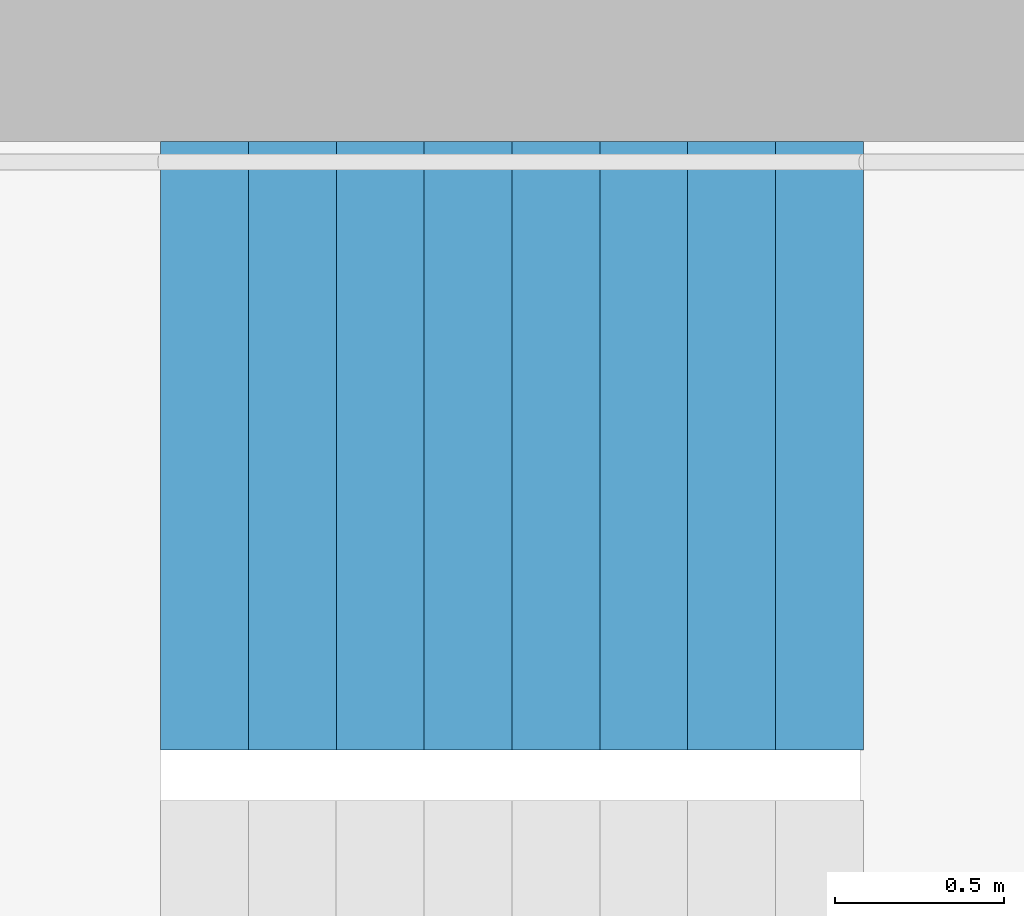
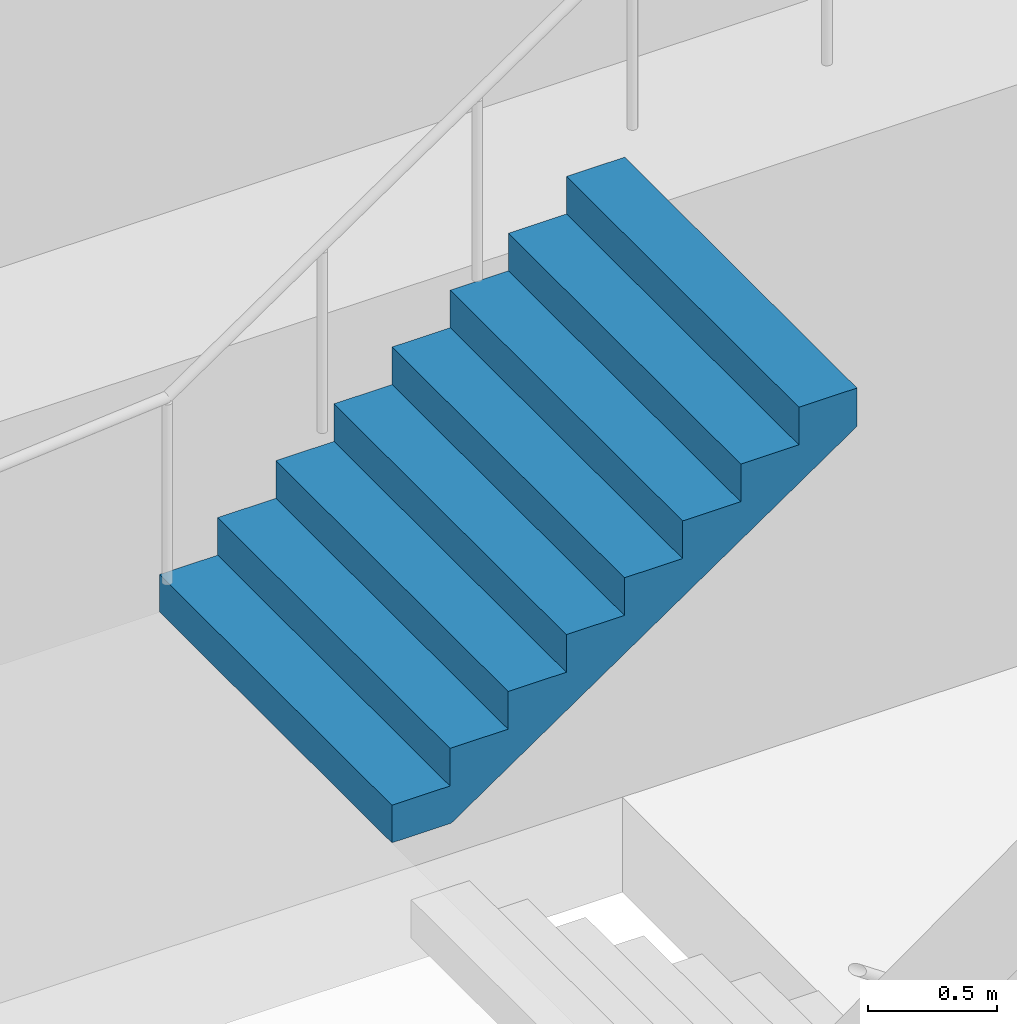
# One storey, part 26 of 27: 1 stair flight, 1 element without a shape of its own.
"""IFC4 building model written with IfcOpenShell, lengths in metres."""

from ifc_helpers import new_model, si_unit, direction, frame, origin, place, context, subcontext, project, spatial, triangles, material, type_object, element, aggregate, save


model = new_model("IFC4")

# Units and contexts
model_context = context("Model", 3, precision=1e-05, world=origin(), true_north=direction((0.0, 1.0)))
body_context = subcontext(model_context, "Body", "Model", "MODEL_VIEW")
ifc_project = project(units=[si_unit("LENGTHUNIT", "METRE"), si_unit("AREAUNIT", "SQUARE_METRE"), si_unit("VOLUMEUNIT", "CUBIC_METRE"), si_unit("PLANEANGLEUNIT", "RADIAN"), si_unit("MASSUNIT", "GRAM", prefix="KILO")], contexts=[model_context])

# Site, building, storey
site_placement = place(None, origin())
site = spatial("IfcSite", under=ifc_project, at=site_placement, CompositionType="ELEMENT")
building_placement = place(site_placement, origin())
building = spatial("IfcBuilding", under=site, at=building_placement, Name="Hakoniwa Tower and Hamabe Station Hall", CompositionType="ELEMENT")
storey_placement = place(building_placement, frame((0.0, 0.0, 166.199951171875)))
storey = spatial("IfcBuildingStorey", under=building, at=storey_placement, Name="L47", CompositionType="ELEMENT", Elevation=166.199951171875)

# Stair, stair flight
ifc_material_1 = material(Name="Concrete C40", Category="concrete")
stair_type = type_object("IfcStairType", Name="ESCAPE STAIR 1800", PredefinedType="HALF_TURN_STAIR", material=ifc_material_1)
stair_placement = place(storey_placement, origin())
stair = element("IfcStair", 1, at=stair_placement, inside=storey, type_object=stair_type, Name="Escape stair ST-3 L47", PredefinedType="HALF_TURN_STAIR")
ifc_material_2 = material(Name="Concrete C40", Category="concrete")
stair_flight_type = type_object("IfcStairFlightType", Name="STAIR FLIGHT 1800", PredefinedType="STRAIGHT", material=ifc_material_2)
stair_flight_placement = place(storey_placement, frame((22.320068359375, 6.60009765625, 1.60009765625), z_axis=(0.0, 0.0, 1.0), x_axis=(1.0, 0.0, 0.0)))
stair_flight = element("IfcStairFlight", 2, at=stair_flight_placement, type_object=stair_flight_type, Name="ST-3 flight 2", NumberOfRisers=9, NumberOfTreads=8, PredefinedType="STRAIGHT", RiserHeight=0.177777778, TreadLength=0.26, context=body_context, shape_type="Tessellation", body=[
    triangles([(0.0, 0.89990234375, 0.0), (0.260009765625, 0.89990234375, 0.0), (0.265625, 0.89990234375, 0.0), (0.52001953125, 0.89990234375, 0.174072265625), (0.780029296875, 0.89990234375, 0.351806640625), (1.0400390625, 0.89990234375, 0.529541015625), (1.300048828125, 0.89990234375, 0.707275390625), (1.56005859375, 0.89990234375, 0.885009765625), (1.820068359375, 0.89990234375, 1.062744140625), (2.080078125, 0.89990234375, 1.24072265625), (2.080078125, 0.89990234375, 1.422119140625), (1.820068359375, 0.89990234375, 1.422119140625), (1.820068359375, 0.89990234375, 1.244384765625), (1.56005859375, 0.89990234375, 1.244384765625), (1.56005859375, 0.89990234375, 1.066650390625), (1.300048828125, 0.89990234375, 1.066650390625), (1.300048828125, 0.89990234375, 0.888916015625), (1.0400390625, 0.89990234375, 0.888916015625), (1.0400390625, 0.89990234375, 0.711181640625), (0.780029296875, 0.89990234375, 0.711181640625), (0.780029296875, 0.89990234375, 0.533447265625), (0.52001953125, 0.89990234375, 0.533447265625), (0.52001953125, 0.89990234375, 0.35546875), (0.265625, 0.89990234375, 0.35546875), (0.260009765625, 0.89990234375, 0.35546875), (0.260009765625, 0.89990234375, 0.177734375), (0.0, 0.89990234375, 0.177734375), (0.0, 0.06005859375, 0.0), (0.260009765625, 0.06005859375, 0.0), (0.265625, 0.06005859375, 0.0), (0.52001953125, 0.06005859375, 0.174072265625), (0.780029296875, 0.06005859375, 0.351806640625), (1.0400390625, 0.06005859375, 0.529541015625), (1.300048828125, 0.06005859375, 0.707275390625), (1.56005859375, 0.06005859375, 0.885009765625), (1.820068359375, 0.06005859375, 1.062744140625), (2.080078125, 0.06005859375, 1.24072265625), (2.080078125, 0.06005859375, 1.422119140625), (1.820068359375, 0.06005859375, 1.422119140625), (1.820068359375, 0.06005859375, 1.244384765625), (1.56005859375, 0.06005859375, 1.244384765625), (1.56005859375, 0.06005859375, 1.066650390625), (1.300048828125, 0.06005859375, 1.066650390625), (1.300048828125, 0.06005859375, 0.888916015625), (1.0400390625, 0.06005859375, 0.888916015625), (1.0400390625, 0.06005859375, 0.711181640625), (0.780029296875, 0.06005859375, 0.711181640625), (0.780029296875, 0.06005859375, 0.533447265625), (0.52001953125, 0.06005859375, 0.533447265625), (0.52001953125, 0.06005859375, 0.35546875), (0.265625, 0.06005859375, 0.35546875), (0.260009765625, 0.06005859375, 0.35546875), (0.260009765625, 0.06005859375, 0.177734375), (0.0, 0.06005859375, 0.177734375), (0.0, 0.04296875, 0.0), (0.260009765625, 0.04296875, 0.0), (0.265625, 0.04296875, 0.0), (0.52001953125, 0.04296875, 0.174072265625), (0.780029296875, 0.04296875, 0.351806640625), (1.0400390625, 0.04296875, 0.529541015625), (1.300048828125, 0.04296875, 0.707275390625), (1.56005859375, 0.04296875, 0.885009765625), (1.820068359375, 0.04296875, 1.062744140625), (2.080078125, 0.04296875, 1.24072265625), (2.080078125, 0.04296875, 1.422119140625), (1.820068359375, 0.04296875, 1.422119140625), (1.820068359375, 0.04296875, 1.244384765625), (1.56005859375, 0.04296875, 1.244384765625), (1.56005859375, 0.04296875, 1.066650390625), (1.300048828125, 0.04296875, 1.066650390625), (1.300048828125, 0.04296875, 0.888916015625), (1.0400390625, 0.04296875, 0.888916015625), (1.0400390625, 0.04296875, 0.711181640625), (0.780029296875, 0.04296875, 0.711181640625), (0.780029296875, 0.04296875, 0.533447265625), (0.52001953125, 0.04296875, 0.533447265625), (0.52001953125, 0.04296875, 0.35546875), (0.265625, 0.04296875, 0.35546875), (0.260009765625, 0.04296875, 0.35546875), (0.260009765625, 0.04296875, 0.177734375), (0.0, 0.04296875, 0.177734375), (0.0, 0.025634765625, 0.0), (0.260009765625, 0.025634765625, 0.0), (0.265625, 0.025634765625, 0.0), (0.52001953125, 0.025634765625, 0.174072265625), (0.780029296875, 0.025634765625, 0.351806640625), (1.0400390625, 0.025634765625, 0.529541015625), (1.300048828125, 0.025634765625, 0.707275390625), (1.56005859375, 0.025634765625, 0.885009765625), (1.820068359375, 0.025634765625, 1.062744140625), (2.080078125, 0.025634765625, 1.24072265625), (2.080078125, 0.025634765625, 1.422119140625), (1.820068359375, 0.025634765625, 1.422119140625), (1.820068359375, 0.025634765625, 1.244384765625), (1.56005859375, 0.025634765625, 1.244384765625), (1.56005859375, 0.025634765625, 1.066650390625), (1.300048828125, 0.025634765625, 1.066650390625), (1.300048828125, 0.025634765625, 0.888916015625), (1.0400390625, 0.025634765625, 0.888916015625), (1.0400390625, 0.025634765625, 0.711181640625), (0.780029296875, 0.025634765625, 0.711181640625), (0.780029296875, 0.025634765625, 0.533447265625), (0.52001953125, 0.025634765625, 0.533447265625), (0.52001953125, 0.025634765625, 0.35546875), (0.265625, 0.025634765625, 0.35546875), (0.260009765625, 0.025634765625, 0.35546875), (0.260009765625, 0.025634765625, 0.177734375), (0.0, 0.025634765625, 0.177734375), (0.0, 0.008544921875, 0.0), (0.260009765625, 0.008544921875, 0.0), (0.265625, 0.008544921875, 0.0), (0.52001953125, 0.008544921875, 0.174072265625), (0.780029296875, 0.008544921875, 0.351806640625), (1.0400390625, 0.008544921875, 0.529541015625), (1.300048828125, 0.008544921875, 0.707275390625), (1.56005859375, 0.008544921875, 0.885009765625), (1.820068359375, 0.008544921875, 1.062744140625), (2.080078125, 0.008544921875, 1.24072265625), (2.080078125, 0.008544921875, 1.422119140625), (1.820068359375, 0.008544921875, 1.422119140625), (1.820068359375, 0.008544921875, 1.244384765625), (1.56005859375, 0.008544921875, 1.244384765625), (1.56005859375, 0.008544921875, 1.066650390625), (1.300048828125, 0.008544921875, 1.066650390625), (1.300048828125, 0.008544921875, 0.888916015625), (1.0400390625, 0.008544921875, 0.888916015625), (1.0400390625, 0.008544921875, 0.711181640625), (0.780029296875, 0.008544921875, 0.711181640625), (0.780029296875, 0.008544921875, 0.533447265625), (0.52001953125, 0.008544921875, 0.533447265625), (0.52001953125, 0.008544921875, 0.35546875), (0.265625, 0.008544921875, 0.35546875), (0.260009765625, 0.008544921875, 0.35546875), (0.260009765625, 0.008544921875, 0.177734375), (0.0, 0.008544921875, 0.177734375), (0.0, -0.008544921875, 0.0), (0.260009765625, -0.008544921875, 0.0), (0.265625, -0.008544921875, 0.0), (0.52001953125, -0.008544921875, 0.174072265625), (0.780029296875, -0.008544921875, 0.351806640625), (1.0400390625, -0.008544921875, 0.529541015625), (1.300048828125, -0.008544921875, 0.707275390625), (1.56005859375, -0.008544921875, 0.885009765625), (1.820068359375, -0.008544921875, 1.062744140625), (2.080078125, -0.008544921875, 1.24072265625), (2.080078125, -0.008544921875, 1.422119140625), (1.820068359375, -0.008544921875, 1.422119140625), (1.820068359375, -0.008544921875, 1.244384765625), (1.56005859375, -0.008544921875, 1.244384765625), (1.56005859375, -0.008544921875, 1.066650390625), (1.300048828125, -0.008544921875, 1.066650390625), (1.300048828125, -0.008544921875, 0.888916015625), (1.0400390625, -0.008544921875, 0.888916015625), (1.0400390625, -0.008544921875, 0.711181640625), (0.780029296875, -0.008544921875, 0.711181640625), (0.780029296875, -0.008544921875, 0.533447265625), (0.52001953125, -0.008544921875, 0.533447265625), (0.52001953125, -0.008544921875, 0.35546875), (0.265625, -0.008544921875, 0.35546875), (0.260009765625, -0.008544921875, 0.35546875), (0.260009765625, -0.008544921875, 0.177734375), (0.0, -0.008544921875, 0.177734375), (0.0, -0.025634765625, 0.0), (0.260009765625, -0.025634765625, 0.0), (0.265625, -0.025634765625, 0.0), (0.52001953125, -0.025634765625, 0.174072265625), (0.780029296875, -0.025634765625, 0.351806640625), (1.0400390625, -0.025634765625, 0.529541015625), (1.300048828125, -0.025634765625, 0.707275390625), (1.56005859375, -0.025634765625, 0.885009765625), (1.820068359375, -0.025634765625, 1.062744140625), (2.080078125, -0.025634765625, 1.24072265625), (2.080078125, -0.025634765625, 1.422119140625), (1.820068359375, -0.025634765625, 1.422119140625), (1.820068359375, -0.025634765625, 1.244384765625), (1.56005859375, -0.025634765625, 1.244384765625), (1.56005859375, -0.025634765625, 1.066650390625), (1.300048828125, -0.025634765625, 1.066650390625), (1.300048828125, -0.025634765625, 0.888916015625), (1.0400390625, -0.025634765625, 0.888916015625), (1.0400390625, -0.025634765625, 0.711181640625), (0.780029296875, -0.025634765625, 0.711181640625), (0.780029296875, -0.025634765625, 0.533447265625), (0.52001953125, -0.025634765625, 0.533447265625), (0.52001953125, -0.025634765625, 0.35546875), (0.265625, -0.025634765625, 0.35546875), (0.260009765625, -0.025634765625, 0.35546875), (0.260009765625, -0.025634765625, 0.177734375), (0.0, -0.025634765625, 0.177734375), (0.0, -0.04296875, 0.0), (0.260009765625, -0.04296875, 0.0), (0.265625, -0.04296875, 0.0), (0.52001953125, -0.04296875, 0.174072265625), (0.780029296875, -0.04296875, 0.351806640625), (1.0400390625, -0.04296875, 0.529541015625), (1.300048828125, -0.04296875, 0.707275390625), (1.56005859375, -0.04296875, 0.885009765625), (1.820068359375, -0.04296875, 1.062744140625), (2.080078125, -0.04296875, 1.24072265625), (2.080078125, -0.04296875, 1.422119140625), (1.820068359375, -0.04296875, 1.422119140625), (1.820068359375, -0.04296875, 1.244384765625), (1.56005859375, -0.04296875, 1.244384765625), (1.56005859375, -0.04296875, 1.066650390625), (1.300048828125, -0.04296875, 1.066650390625), (1.300048828125, -0.04296875, 0.888916015625), (1.0400390625, -0.04296875, 0.888916015625), (1.0400390625, -0.04296875, 0.711181640625), (0.780029296875, -0.04296875, 0.711181640625), (0.780029296875, -0.04296875, 0.533447265625), (0.52001953125, -0.04296875, 0.533447265625), (0.52001953125, -0.04296875, 0.35546875), (0.265625, -0.04296875, 0.35546875), (0.260009765625, -0.04296875, 0.35546875), (0.260009765625, -0.04296875, 0.177734375), (0.0, -0.04296875, 0.177734375), (0.0, -0.06005859375, 0.0), (0.260009765625, -0.06005859375, 0.0), (0.265625, -0.06005859375, 0.0), (0.52001953125, -0.06005859375, 0.174072265625), (0.780029296875, -0.06005859375, 0.351806640625), (1.0400390625, -0.06005859375, 0.529541015625), (1.300048828125, -0.06005859375, 0.707275390625), (1.56005859375, -0.06005859375, 0.885009765625), (1.820068359375, -0.06005859375, 1.062744140625), (2.080078125, -0.06005859375, 1.24072265625), (2.080078125, -0.06005859375, 1.422119140625), (1.820068359375, -0.06005859375, 1.422119140625), (1.820068359375, -0.06005859375, 1.244384765625), (1.56005859375, -0.06005859375, 1.244384765625), (1.56005859375, -0.06005859375, 1.066650390625), (1.300048828125, -0.06005859375, 1.066650390625), (1.300048828125, -0.06005859375, 0.888916015625), (1.0400390625, -0.06005859375, 0.888916015625), (1.0400390625, -0.06005859375, 0.711181640625), (0.780029296875, -0.06005859375, 0.711181640625), (0.780029296875, -0.06005859375, 0.533447265625), (0.52001953125, -0.06005859375, 0.533447265625), (0.52001953125, -0.06005859375, 0.35546875), (0.265625, -0.06005859375, 0.35546875), (0.260009765625, -0.06005859375, 0.35546875), (0.260009765625, -0.06005859375, 0.177734375), (0.0, -0.06005859375, 0.177734375), (0.0, -0.89990234375, 0.0), (0.260009765625, -0.89990234375, 0.0), (0.265625, -0.89990234375, 0.0), (0.52001953125, -0.89990234375, 0.174072265625), (0.780029296875, -0.89990234375, 0.351806640625), (1.0400390625, -0.89990234375, 0.529541015625), (1.300048828125, -0.89990234375, 0.707275390625), (1.56005859375, -0.89990234375, 0.885009765625), (1.820068359375, -0.89990234375, 1.062744140625), (2.080078125, -0.89990234375, 1.24072265625), (2.080078125, -0.89990234375, 1.422119140625), (1.820068359375, -0.89990234375, 1.422119140625), (1.820068359375, -0.89990234375, 1.244384765625), (1.56005859375, -0.89990234375, 1.244384765625), (1.56005859375, -0.89990234375, 1.066650390625), (1.300048828125, -0.89990234375, 1.066650390625), (1.300048828125, -0.89990234375, 0.888916015625), (1.0400390625, -0.89990234375, 0.888916015625), (1.0400390625, -0.89990234375, 0.711181640625), (0.780029296875, -0.89990234375, 0.711181640625), (0.780029296875, -0.89990234375, 0.533447265625), (0.52001953125, -0.89990234375, 0.533447265625), (0.52001953125, -0.89990234375, 0.35546875), (0.265625, -0.89990234375, 0.35546875), (0.260009765625, -0.89990234375, 0.35546875), (0.260009765625, -0.89990234375, 0.177734375), (0.0, -0.89990234375, 0.177734375)], [[2, 27, 26], [245, 269, 270], [2, 1, 27], [245, 270, 244], [3, 25, 24], [246, 267, 268], [3, 26, 25], [246, 268, 269], [3, 2, 26], [246, 269, 245], [4, 24, 23], [247, 266, 267], [4, 3, 24], [247, 267, 246], [5, 22, 21], [248, 264, 265], [5, 23, 22], [248, 265, 266], [5, 4, 23], [248, 266, 247], [6, 20, 19], [249, 262, 263], [6, 21, 20], [249, 263, 264], [6, 5, 21], [249, 264, 248], [7, 18, 17], [250, 260, 261], [7, 19, 18], [250, 261, 262], [7, 6, 19], [250, 262, 249], [8, 16, 15], [251, 258, 259], [8, 17, 16], [251, 259, 260], [8, 7, 17], [251, 260, 250], [9, 14, 13], [252, 256, 257], [9, 15, 14], [252, 257, 258], [9, 8, 15], [252, 258, 251], [10, 12, 11], [253, 254, 255], [10, 13, 12], [253, 255, 256], [10, 9, 13], [253, 256, 252], [1, 2, 29], [1, 29, 28], [28, 29, 56], [28, 56, 55], [55, 56, 83], [55, 83, 82], [82, 83, 110], [82, 110, 109], [109, 110, 137], [109, 137, 136], [136, 137, 164], [136, 164, 163], [163, 164, 191], [163, 191, 190], [190, 191, 218], [190, 218, 217], [217, 218, 245], [217, 245, 244], [2, 3, 30], [2, 30, 29], [29, 30, 57], [29, 57, 56], [56, 57, 84], [56, 84, 83], [83, 84, 111], [83, 111, 110], [110, 111, 138], [110, 138, 137], [137, 138, 165], [137, 165, 164], [164, 165, 192], [164, 192, 191], [191, 192, 219], [191, 219, 218], [218, 219, 246], [218, 246, 245], [3, 4, 31], [3, 31, 30], [30, 31, 58], [30, 58, 57], [57, 58, 85], [57, 85, 84], [84, 85, 112], [84, 112, 111], [111, 112, 139], [111, 139, 138], [138, 139, 166], [138, 166, 165], [165, 166, 193], [165, 193, 192], [192, 193, 220], [192, 220, 219], [219, 220, 247], [219, 247, 246], [4, 5, 32], [4, 32, 31], [31, 32, 59], [31, 59, 58], [58, 59, 86], [58, 86, 85], [85, 86, 113], [85, 113, 112], [112, 113, 140], [112, 140, 139], [139, 140, 167], [139, 167, 166], [166, 167, 194], [166, 194, 193], [193, 194, 221], [193, 221, 220], [220, 221, 248], [220, 248, 247], [5, 6, 33], [5, 33, 32], [32, 33, 60], [32, 60, 59], [59, 60, 87], [59, 87, 86], [86, 87, 114], [86, 114, 113], [113, 114, 141], [113, 141, 140], [140, 141, 168], [140, 168, 167], [167, 168, 195], [167, 195, 194], [194, 195, 222], [194, 222, 221], [221, 222, 249], [221, 249, 248], [6, 7, 34], [6, 34, 33], [33, 34, 61], [33, 61, 60], [60, 61, 88], [60, 88, 87], [87, 88, 115], [87, 115, 114], [114, 115, 142], [114, 142, 141], [141, 142, 169], [141, 169, 168], [168, 169, 196], [168, 196, 195], [195, 196, 223], [195, 223, 222], [222, 223, 250], [222, 250, 249], [7, 8, 35], [7, 35, 34], [34, 35, 62], [34, 62, 61], [61, 62, 89], [61, 89, 88], [88, 89, 116], [88, 116, 115], [115, 116, 143], [115, 143, 142], [142, 143, 170], [142, 170, 169], [169, 170, 197], [169, 197, 196], [196, 197, 224], [196, 224, 223], [223, 224, 251], [223, 251, 250], [8, 9, 36], [8, 36, 35], [35, 36, 63], [35, 63, 62], [62, 63, 90], [62, 90, 89], [89, 90, 117], [89, 117, 116], [116, 117, 144], [116, 144, 143], [143, 144, 171], [143, 171, 170], [170, 171, 198], [170, 198, 197], [197, 198, 225], [197, 225, 224], [224, 225, 252], [224, 252, 251], [9, 10, 37], [9, 37, 36], [36, 37, 64], [36, 64, 63], [63, 64, 91], [63, 91, 90], [90, 91, 118], [90, 118, 117], [117, 118, 145], [117, 145, 144], [144, 145, 172], [144, 172, 171], [171, 172, 199], [171, 199, 198], [198, 199, 226], [198, 226, 225], [225, 226, 253], [225, 253, 252], [10, 11, 38], [10, 38, 37], [37, 38, 65], [37, 65, 64], [64, 65, 92], [64, 92, 91], [91, 92, 119], [91, 119, 118], [118, 119, 146], [118, 146, 145], [145, 146, 173], [145, 173, 172], [172, 173, 200], [172, 200, 199], [199, 200, 227], [199, 227, 226], [226, 227, 254], [226, 254, 253], [11, 12, 39], [11, 39, 38], [38, 39, 66], [38, 66, 65], [65, 66, 93], [65, 93, 92], [92, 93, 120], [92, 120, 119], [119, 120, 147], [119, 147, 146], [146, 147, 174], [146, 174, 173], [173, 174, 201], [173, 201, 200], [200, 201, 228], [200, 228, 227], [227, 228, 255], [227, 255, 254], [12, 13, 40], [12, 40, 39], [39, 40, 67], [39, 67, 66], [66, 67, 94], [66, 94, 93], [93, 94, 121], [93, 121, 120], [120, 121, 148], [120, 148, 147], [147, 148, 175], [147, 175, 174], [174, 175, 202], [174, 202, 201], [201, 202, 229], [201, 229, 228], [228, 229, 256], [228, 256, 255], [13, 14, 41], [13, 41, 40], [40, 41, 68], [40, 68, 67], [67, 68, 95], [67, 95, 94], [94, 95, 122], [94, 122, 121], [121, 122, 149], [121, 149, 148], [148, 149, 176], [148, 176, 175], [175, 176, 203], [175, 203, 202], [202, 203, 230], [202, 230, 229], [229, 230, 257], [229, 257, 256], [14, 15, 42], [14, 42, 41], [41, 42, 69], [41, 69, 68], [68, 69, 96], [68, 96, 95], [95, 96, 123], [95, 123, 122], [122, 123, 150], [122, 150, 149], [149, 150, 177], [149, 177, 176], [176, 177, 204], [176, 204, 203], [203, 204, 231], [203, 231, 230], [230, 231, 258], [230, 258, 257], [15, 16, 43], [15, 43, 42], [42, 43, 70], [42, 70, 69], [69, 70, 97], [69, 97, 96], [96, 97, 124], [96, 124, 123], [123, 124, 151], [123, 151, 150], [150, 151, 178], [150, 178, 177], [177, 178, 205], [177, 205, 204], [204, 205, 232], [204, 232, 231], [231, 232, 259], [231, 259, 258], [16, 17, 44], [16, 44, 43], [43, 44, 71], [43, 71, 70], [70, 71, 98], [70, 98, 97], [97, 98, 125], [97, 125, 124], [124, 125, 152], [124, 152, 151], [151, 152, 179], [151, 179, 178], [178, 179, 206], [178, 206, 205], [205, 206, 233], [205, 233, 232], [232, 233, 260], [232, 260, 259], [17, 18, 45], [17, 45, 44], [44, 45, 72], [44, 72, 71], [71, 72, 99], [71, 99, 98], [98, 99, 126], [98, 126, 125], [125, 126, 153], [125, 153, 152], [152, 153, 180], [152, 180, 179], [179, 180, 207], [179, 207, 206], [206, 207, 234], [206, 234, 233], [233, 234, 261], [233, 261, 260], [18, 19, 46], [18, 46, 45], [45, 46, 73], [45, 73, 72], [72, 73, 100], [72, 100, 99], [99, 100, 127], [99, 127, 126], [126, 127, 154], [126, 154, 153], [153, 154, 181], [153, 181, 180], [180, 181, 208], [180, 208, 207], [207, 208, 235], [207, 235, 234], [234, 235, 262], [234, 262, 261], [19, 20, 47], [19, 47, 46], [46, 47, 74], [46, 74, 73], [73, 74, 101], [73, 101, 100], [100, 101, 128], [100, 128, 127], [127, 128, 155], [127, 155, 154], [154, 155, 182], [154, 182, 181], [181, 182, 209], [181, 209, 208], [208, 209, 236], [208, 236, 235], [235, 236, 263], [235, 263, 262], [20, 21, 48], [20, 48, 47], [47, 48, 75], [47, 75, 74], [74, 75, 102], [74, 102, 101], [101, 102, 129], [101, 129, 128], [128, 129, 156], [128, 156, 155], [155, 156, 183], [155, 183, 182], [182, 183, 210], [182, 210, 209], [209, 210, 237], [209, 237, 236], [236, 237, 264], [236, 264, 263], [21, 22, 49], [21, 49, 48], [48, 49, 76], [48, 76, 75], [75, 76, 103], [75, 103, 102], [102, 103, 130], [102, 130, 129], [129, 130, 157], [129, 157, 156], [156, 157, 184], [156, 184, 183], [183, 184, 211], [183, 211, 210], [210, 211, 238], [210, 238, 237], [237, 238, 265], [237, 265, 264], [22, 23, 50], [22, 50, 49], [49, 50, 77], [49, 77, 76], [76, 77, 104], [76, 104, 103], [103, 104, 131], [103, 131, 130], [130, 131, 158], [130, 158, 157], [157, 158, 185], [157, 185, 184], [184, 185, 212], [184, 212, 211], [211, 212, 239], [211, 239, 238], [238, 239, 266], [238, 266, 265], [23, 24, 51], [23, 51, 50], [50, 51, 78], [50, 78, 77], [77, 78, 105], [77, 105, 104], [104, 105, 132], [104, 132, 131], [131, 132, 159], [131, 159, 158], [158, 159, 186], [158, 186, 185], [185, 186, 213], [185, 213, 212], [212, 213, 240], [212, 240, 239], [239, 240, 267], [239, 267, 266], [24, 25, 52], [24, 52, 51], [51, 52, 79], [51, 79, 78], [78, 79, 106], [78, 106, 105], [105, 106, 133], [105, 133, 132], [132, 133, 160], [132, 160, 159], [159, 160, 187], [159, 187, 186], [186, 187, 214], [186, 214, 213], [213, 214, 241], [213, 241, 240], [240, 241, 268], [240, 268, 267], [25, 26, 53], [25, 53, 52], [52, 53, 80], [52, 80, 79], [79, 80, 107], [79, 107, 106], [106, 107, 134], [106, 134, 133], [133, 134, 161], [133, 161, 160], [160, 161, 188], [160, 188, 187], [187, 188, 215], [187, 215, 214], [214, 215, 242], [214, 242, 241], [241, 242, 269], [241, 269, 268], [26, 27, 54], [26, 54, 53], [53, 54, 81], [53, 81, 80], [80, 81, 108], [80, 108, 107], [107, 108, 135], [107, 135, 134], [134, 135, 162], [134, 162, 161], [161, 162, 189], [161, 189, 188], [188, 189, 216], [188, 216, 215], [215, 216, 243], [215, 243, 242], [242, 243, 270], [242, 270, 269], [27, 1, 28], [27, 28, 54], [54, 28, 55], [54, 55, 81], [81, 55, 82], [81, 82, 108], [108, 82, 109], [108, 109, 135], [135, 109, 136], [135, 136, 162], [162, 136, 163], [162, 163, 189], [189, 163, 190], [189, 190, 216], [216, 190, 217], [216, 217, 243], [243, 217, 244], [243, 244, 270]], closed=True),
])
aggregate(stair, [stair_flight])

save(model, "model.ifc")
